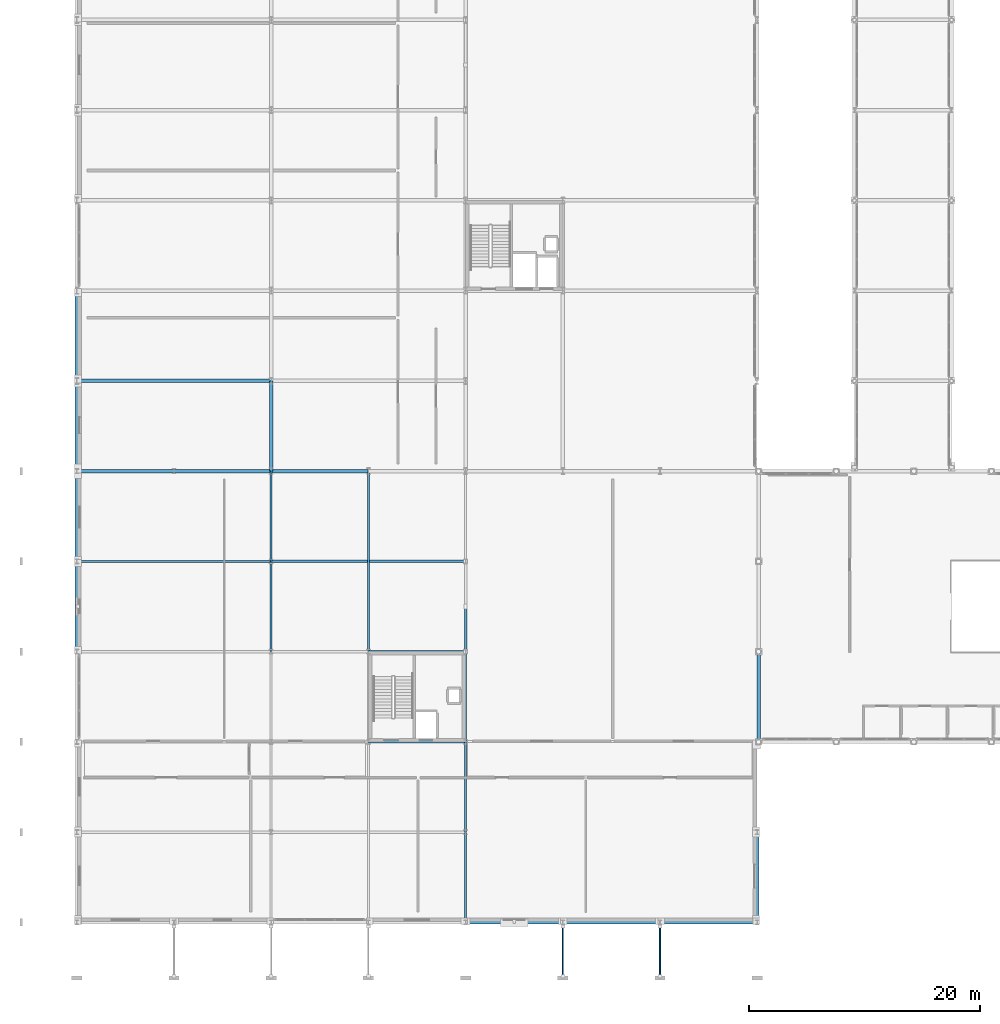
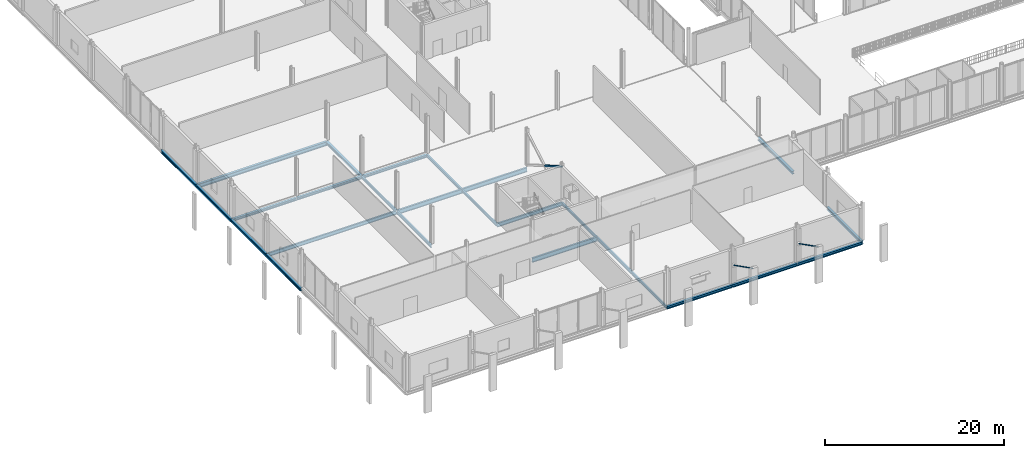
# One storey, part 29 of 105: 24 beams, 3 members.
"""IFC4 building model written with IfcOpenShell, lengths in metres."""

from ifc_helpers import new_model, si_unit, direction, frame, origin, origin_2d, place, context, subcontext, project, spatial, hollow_rectangle, hollow_circle, i_section, extrude, material, material_profile, profile_set, type_object, element, save


model = new_model("IFC4")

# Units and contexts
model_context = context("Model", 3, precision=1e-05, world=origin(), true_north=direction((0.0, 1.0)))
body_context = subcontext(model_context, "Body", "Model", "MODEL_VIEW")
ifc_project = project(units=[si_unit("LENGTHUNIT", "METRE"), si_unit("AREAUNIT", "SQUARE_METRE"), si_unit("VOLUMEUNIT", "CUBIC_METRE"), si_unit("PLANEANGLEUNIT", "RADIAN"), si_unit("MASSUNIT", "GRAM", prefix="KILO")], contexts=[model_context])

# Site, building, storey
site_placement = place(None, origin())
site = spatial("IfcSite", under=ifc_project, at=site_placement, CompositionType="ELEMENT")
building_placement = place(site_placement, origin())
building = spatial("IfcBuilding", under=site, at=building_placement, Name="Nabrawat Pavilion Hospital", CompositionType="ELEMENT")
storey_placement = place(building_placement, frame((0.0, 0.0, 5.10009765625)))
storey = spatial("IfcBuildingStorey", under=building, at=storey_placement, Name="L01", CompositionType="ELEMENT", Elevation=5.10009765625)

# Members
ifc_material = material(Name="Steel S355", Category="steel")
ifc_material_profile_1 = material_profile(ifc_material, hollow_circle(Radius=0.06982421875, WallThickness=0.008056640625, at=origin_2d()), Name="CHS 139.7x8")
ifc_profile_set_1 = profile_set([ifc_material_profile_1], Name="Steel S355")
member_type_1 = type_object("IfcMemberType", Name="Canopy Eave Tie Strut CHS 139.7x8", PredefinedType="STRUT", material=ifc_profile_set_1)
for number, where, z_axis, x_axis, name in (
    (1, (42.0, -0.320068359375, 2.5498046875), (0.0, -0.892334452398, 0.451374816603), (1.0, 0.0, 0.0), "South Arcade Canopy Diagonal Strut 04"),
    (2, (50.39990234375, -0.320068359375, 2.5498046875), (0.0, -0.892334452398, 0.451374816603), (1.0, 0.0, 0.0), "South Arcade Canopy Diagonal Strut 05"),
):
    element("IfcMember", number, at=place(storey_placement, frame(where, z_axis=z_axis, x_axis=x_axis)), inside=storey, type_object=member_type_1, Name=name, PredefinedType="STRUT", context=body_context, shape_type="SweptSolid", body=[
        extrude(hollow_circle(Radius=0.06982421875, WallThickness=0.008056640625, at=origin_2d()), origin(), (0.0, 0.0, 1.0), 4.852294921875),
    ])
ifc_material_profile_2 = material_profile(ifc_material, hollow_rectangle(XDim=0.199951171875, YDim=0.199951171875, WallThickness=0.012451171875, at=origin_2d()), Name="SHS 200x200x12.5")
ifc_profile_set_2 = profile_set([ifc_material_profile_2], Name="Steel S355")
member_type_2 = type_object("IfcMemberType", Name="Mid Seismic Chevron Brace SHS 200x200x12.5", PredefinedType="BRACE", material=ifc_profile_set_2)
member_placement = place(storey_placement, frame((33.60009765625, 23.39990234375, 4.5498046875), z_axis=(0.0, 0.866200492656, -0.49969661448), x_axis=(-1.0, 0.0, 0.0)))
element("IfcMember", 3, at=member_placement, inside=storey, type_object=member_type_2, Name="L01 Seismic Split X-Brace Upper Segment 008", PredefinedType="BRACE", context=body_context, shape_type="SweptSolid", body=[
    extrude(hollow_rectangle(XDim=0.199951171875, YDim=0.199951171875, WallThickness=0.012451171875, at=origin_2d()), origin(), (0.0, 0.0, 1.0), 4.362548828125),
])

# Beams
ifc_material_profile_3 = material_profile(ifc_material, i_section(OverallWidth=0.300048828125, OverallDepth=0.389892578125, WebThickness=0.010986328125, FlangeThickness=0.01904296875, FilletRadius=0.027099609375, at=origin_2d()), Name="HEA 400")
ifc_profile_set_3 = profile_set([ifc_material_profile_3], Name="Steel S355")
beam_type_1 = type_object("IfcBeamType", Name="Perimeter Moment Spandrel Beam HEA 400", PredefinedType="SPANDREL", material=ifc_profile_set_3)
for number, where, z_axis, x_axis, name in (
    (4, (33.6201171875, 0.0, -0.445068359375), (1.0, 0.0, 0.0), (0.0, 1.0, 0.0), "L01 Primary X Girder 453"),
    (5, (42.02001953125, 0.0, -0.445068359375), (1.0, 0.0, 0.0), (0.0, 1.0, 0.0), "L01 Primary X Girder 454"),
):
    element("IfcBeam", number, at=place(storey_placement, frame(where, z_axis=z_axis, x_axis=x_axis)), inside=storey, type_object=beam_type_1, Name=name, PredefinedType="SPANDREL", context=body_context, shape_type="SweptSolid", body=[
        extrude(i_section(OverallWidth=0.300048828125, OverallDepth=0.389892578125, WebThickness=0.010986328125, FlangeThickness=0.01904296875, FilletRadius=0.027099609375, at=origin_2d()), origin(), (0.0, 0.0, 1.0), 8.35986328125),
    ])
beam_1_placement = place(storey_placement, frame((50.419921875, 0.0, -0.445068359375), z_axis=(1.0, 0.0, 0.0), x_axis=(0.0, 1.0, 0.0)))
element("IfcBeam", 6, at=beam_1_placement, inside=storey, type_object=beam_type_1, Name="L01 Primary X Girder 455", PredefinedType="SPANDREL", context=body_context, shape_type="SweptSolid", body=[
    extrude(i_section(OverallWidth=0.300048828125, OverallDepth=0.389892578125, WebThickness=0.010986328125, FlangeThickness=0.01904296875, FilletRadius=0.027099609375, at=origin_2d()), origin(), (0.0, 0.0, 1.0), 8.360107421875),
])
for number, where, z_axis, x_axis, name in (
    (7, (0.0, 23.419921875, -0.445068359375), (0.0, 1.0, 0.0), (-1.0, 0.0, 0.0), "L01 Primary Y Beam 697"),
    (8, (0.0, 31.219970703125, -0.445068359375), (0.0, 1.0, 0.0), (-1.0, 0.0, 0.0), "L01 Primary Y Beam 698"),
    (9, (0.0, 39.02001953125, -0.465087890625), (0.0, 1.0, 0.0), (-1.0, 0.0, 0.0), "L01 Primary Y Beam 699"),
    (10, (0.0, 46.820068359375, -0.465087890625), (0.0, 1.0, 0.0), (-1.0, 0.0, 0.0), "L01 Primary Y Beam 700"),
    (11, (58.800048828125, 0.02001953125, -0.445068359375), (0.0, 1.0, 0.0), (-1.0, 0.0, 0.0), "L01 Primary Y Beam 747"),
):
    element("IfcBeam", number, at=place(storey_placement, frame(where, z_axis=z_axis, x_axis=x_axis)), inside=storey, type_object=beam_type_1, Name=name, PredefinedType="SPANDREL", context=body_context, shape_type="SweptSolid", body=[
        extrude(i_section(OverallWidth=0.300048828125, OverallDepth=0.389892578125, WebThickness=0.010986328125, FlangeThickness=0.01904296875, FilletRadius=0.027099609375, at=origin_2d()), origin(), (0.0, 0.0, 1.0), 7.760009765625),
    ])
beam_2_placement = place(storey_placement, frame((58.919921875, 15.6201171875, -0.445068359375), z_axis=(0.0, 1.0, 0.0), x_axis=(-1.0, 0.0, 0.0)))
element("IfcBeam", 12, at=beam_2_placement, inside=storey, type_object=beam_type_1, Name="L01 Primary Y Beam 757", PredefinedType="SPANDREL", context=body_context, shape_type="SweptSolid", body=[
    extrude(i_section(OverallWidth=0.300048828125, OverallDepth=0.389892578125, WebThickness=0.010986328125, FlangeThickness=0.01904296875, FilletRadius=0.027099609375, at=origin_2d()), origin(), (0.0, 0.0, 1.0), 7.759765625),
])
ifc_material_profile_4 = material_profile(ifc_material, i_section(OverallWidth=0.300048828125, OverallDepth=0.550048828125, WebThickness=0.014892578125, FlangeThickness=0.029052734375, FilletRadius=0.027099609375, at=origin_2d()), Name="HEB 550")
ifc_profile_set_4 = profile_set([ifc_material_profile_4], Name="Steel S355")
beam_type_2 = type_object("IfcBeamType", Name="Primary Floor Girder HEB 550", PredefinedType="USERDEFINED", material=ifc_profile_set_4)
beam_3_placement = place(storey_placement, frame((0.02001953125, 46.800048828125, -0.545166015625), z_axis=(1.0, 0.0, 0.0), x_axis=(0.0, 1.0, 0.0)))
element("IfcBeam", 13, at=beam_3_placement, inside=storey, type_object=beam_type_2, Name="L01 Primary X Girder 536", ObjectType="GIRDER", PredefinedType="USERDEFINED", context=body_context, shape_type="SweptSolid", body=[
    extrude(i_section(OverallWidth=0.300048828125, OverallDepth=0.550048828125, WebThickness=0.014892578125, FlangeThickness=0.029052734375, FilletRadius=0.027099609375, at=origin_2d()), origin(), (0.0, 0.0, 1.0), 16.760009765625),
])
ifc_material_profile_5 = material_profile(ifc_material, i_section(OverallWidth=0.199951171875, OverallDepth=0.5, WebThickness=0.01025390625, FlangeThickness=0.01611328125, FilletRadius=0.02099609375, at=origin_2d()), Name="IPE 500")
ifc_profile_set_5 = profile_set([ifc_material_profile_5], Name="Steel S355")
beam_type_3 = type_object("IfcBeamType", Name="Standard X Floor Girder IPE 500", PredefinedType="USERDEFINED", material=ifc_profile_set_5)
beam_4_placement = place(storey_placement, frame((25.219970703125, 23.39990234375, -0.5), z_axis=(1.0, 0.0, 0.0), x_axis=(0.0, 1.0, 0.0)))
element("IfcBeam", 14, at=beam_4_placement, inside=storey, type_object=beam_type_3, Name="L01 Primary X Girder 495", ObjectType="GIRDER", PredefinedType="USERDEFINED", context=body_context, shape_type="SweptSolid", body=[
    extrude(i_section(OverallWidth=0.199951171875, OverallDepth=0.5, WebThickness=0.01025390625, FlangeThickness=0.01611328125, FilletRadius=0.02099609375, at=origin_2d()), origin(), (0.0, 0.0, 1.0), 8.360107421875),
])
beam_5_placement = place(storey_placement, frame((0.02001953125, 31.199951171875, -0.5), z_axis=(1.0, 0.0, 0.0), x_axis=(0.0, 1.0, 0.0)))
element("IfcBeam", 15, at=beam_5_placement, inside=storey, type_object=beam_type_3, Name="L01 Primary X Girder 503", ObjectType="GIRDER", PredefinedType="USERDEFINED", context=body_context, shape_type="SweptSolid", body=[
    extrude(i_section(OverallWidth=0.199951171875, OverallDepth=0.5, WebThickness=0.01025390625, FlangeThickness=0.01611328125, FilletRadius=0.02099609375, at=origin_2d()), origin(), (0.0, 0.0, 1.0), 16.760009765625),
])
ifc_material_profile_6 = material_profile(ifc_material, i_section(OverallWidth=0.179931640625, OverallDepth=0.39990234375, WebThickness=0.008544921875, FlangeThickness=0.013427734375, FilletRadius=0.02099609375, at=origin_2d()), Name="IPE 400")
ifc_profile_set_6 = profile_set([ifc_material_profile_6], Name="Steel S355")
beam_type_4 = type_object("IfcBeamType", Name="Standard Y Floor Beam IPE 400", PredefinedType="BEAM", material=ifc_profile_set_6)
for number, where, z_axis, x_axis, name in (
    (16, (16.800048828125, 23.419921875, -0.4501953125), (0.0, 1.0, 0.0), (-1.0, 0.0, 0.0), "L01 Primary Y Beam 712"),
    (17, (16.800048828125, 31.219970703125, -0.4501953125), (0.0, 1.0, 0.0), (-1.0, 0.0, 0.0), "L01 Primary Y Beam 713"),
):
    element("IfcBeam", number, at=place(storey_placement, frame(where, z_axis=z_axis, x_axis=x_axis)), inside=storey, type_object=beam_type_4, Name=name, PredefinedType="BEAM", context=body_context, shape_type="SweptSolid", body=[
        extrude(i_section(OverallWidth=0.179931640625, OverallDepth=0.39990234375, WebThickness=0.008544921875, FlangeThickness=0.013427734375, FilletRadius=0.02099609375, at=origin_2d()), origin(), (0.0, 0.0, 1.0), 7.760009765625),
    ])
beam_6_placement = place(storey_placement, frame((25.199951171875, 23.419921875, -0.4501953125), z_axis=(0.0, 1.0, 0.0), x_axis=(-1.0, 0.0, 0.0)))
element("IfcBeam", 18, at=beam_6_placement, inside=storey, type_object=beam_type_4, Name="L01 Primary Y Beam 726", PredefinedType="BEAM", context=body_context, shape_type="SweptSolid", body=[
    extrude(i_section(OverallWidth=0.179931640625, OverallDepth=0.39990234375, WebThickness=0.008544921875, FlangeThickness=0.013427734375, FilletRadius=0.02099609375, at=origin_2d()), origin(), (0.0, 0.0, 1.0), 15.56005859375),
])
for number, where, z_axis, x_axis, name in (
    (19, (33.60009765625, 0.02001953125, -0.4501953125), (0.0, 1.0, 0.0), (-1.0, 0.0, 0.0), "L01 Primary Y Beam 730"),
    (20, (33.60009765625, 7.820068359375, -0.4501953125), (0.0, 1.0, 0.0), (-1.0, 0.0, 0.0), "L01 Primary Y Beam 731"),
):
    element("IfcBeam", number, at=place(storey_placement, frame(where, z_axis=z_axis, x_axis=x_axis)), inside=storey, type_object=beam_type_4, Name=name, PredefinedType="BEAM", context=body_context, shape_type="SweptSolid", body=[
        extrude(i_section(OverallWidth=0.179931640625, OverallDepth=0.39990234375, WebThickness=0.008544921875, FlangeThickness=0.013427734375, FilletRadius=0.02099609375, at=origin_2d()), origin(), (0.0, 0.0, 1.0), 7.760009765625),
    ])
beam_7_placement = place(storey_placement, frame((33.60009765625, 15.6201171875, -0.4501953125), z_axis=(0.0, 1.0, 0.0), x_axis=(-1.0, 0.0, 0.0)))
element("IfcBeam", 21, at=beam_7_placement, inside=storey, type_object=beam_type_4, Name="L01 Primary Y Beam 732", PredefinedType="BEAM", context=body_context, shape_type="SweptSolid", body=[
    extrude(i_section(OverallWidth=0.179931640625, OverallDepth=0.39990234375, WebThickness=0.008544921875, FlangeThickness=0.013427734375, FilletRadius=0.02099609375, at=origin_2d()), origin(), (0.0, 0.0, 1.0), 7.759765625),
])
ifc_material_profile_7 = material_profile(ifc_material, i_section(OverallWidth=0.300048828125, OverallDepth=0.360107421875, WebThickness=0.012451171875, FlangeThickness=0.0224609375, FilletRadius=0.027099609375, at=origin_2d()), Name="HEB 360")
ifc_profile_set_7 = profile_set([ifc_material_profile_7], Name="Steel S355")
beam_type_5 = type_object("IfcBeamType", Name="Surgical Perimeter Spandrel HEB 360", PredefinedType="SPANDREL", material=ifc_profile_set_7)
beam_8_placement = place(storey_placement, frame((0.02001953125, 39.0, -0.4501953125), z_axis=(1.0, 0.0, 0.0), x_axis=(0.0, 1.0, 0.0)))
element("IfcBeam", 22, at=beam_8_placement, inside=storey, type_object=beam_type_5, Name="L01 Primary X Girder 511", PredefinedType="SPANDREL", context=body_context, shape_type="SweptSolid", body=[
    extrude(i_section(OverallWidth=0.300048828125, OverallDepth=0.360107421875, WebThickness=0.012451171875, FlangeThickness=0.0224609375, FilletRadius=0.027099609375, at=origin_2d()), origin(), (0.0, 0.0, 1.0), 8.35986328125),
])
beam_9_placement = place(storey_placement, frame((8.419921875, 39.0, -0.4501953125), z_axis=(1.0, 0.0, 0.0), x_axis=(0.0, 1.0, 0.0)))
element("IfcBeam", 23, at=beam_9_placement, inside=storey, type_object=beam_type_5, Name="L01 Primary X Girder 512", PredefinedType="SPANDREL", context=body_context, shape_type="SweptSolid", body=[
    extrude(i_section(OverallWidth=0.300048828125, OverallDepth=0.360107421875, WebThickness=0.012451171875, FlangeThickness=0.0224609375, FilletRadius=0.027099609375, at=origin_2d()), origin(), (0.0, 0.0, 1.0), 8.360107421875),
])
beam_10_placement = place(storey_placement, frame((16.820068359375, 39.0, -0.4501953125), z_axis=(1.0, 0.0, 0.0), x_axis=(0.0, 1.0, 0.0)))
element("IfcBeam", 24, at=beam_10_placement, inside=storey, type_object=beam_type_5, Name="L01 Primary X Girder 513", PredefinedType="SPANDREL", context=body_context, shape_type="SweptSolid", body=[
    extrude(i_section(OverallWidth=0.300048828125, OverallDepth=0.360107421875, WebThickness=0.012451171875, FlangeThickness=0.0224609375, FilletRadius=0.027099609375, at=origin_2d()), origin(), (0.0, 0.0, 1.0), 8.35986328125),
])
ifc_material_profile_8 = material_profile(ifc_material, i_section(OverallWidth=0.300048828125, OverallDepth=0.35009765625, WebThickness=0.009521484375, FlangeThickness=0.017578125, FilletRadius=0.027099609375, at=origin_2d()), Name="HEA 360")
ifc_profile_set_8 = profile_set([ifc_material_profile_8], Name="Steel S355")
beam_type_6 = type_object("IfcBeamType", Name="Surgical Stiffened Beam HEA 360", PredefinedType="BEAM", material=ifc_profile_set_8)
beam_11_placement = place(storey_placement, frame((16.800048828125, 39.02001953125, -0.445068359375), z_axis=(0.0, 1.0, 0.0), x_axis=(-1.0, 0.0, 0.0)))
element("IfcBeam", 25, at=beam_11_placement, inside=storey, type_object=beam_type_6, Name="L01 Primary Y Beam 714", PredefinedType="BEAM", context=body_context, shape_type="SweptSolid", body=[
    extrude(i_section(OverallWidth=0.300048828125, OverallDepth=0.35009765625, WebThickness=0.009521484375, FlangeThickness=0.017578125, FilletRadius=0.027099609375, at=origin_2d()), origin(), (0.0, 0.0, 1.0), 7.760009765625),
])
ifc_material_profile_9 = material_profile(ifc_material, i_section(OverallWidth=0.219970703125, OverallDepth=0.60009765625, WebThickness=0.011962890625, FlangeThickness=0.01904296875, FilletRadius=0.02392578125, at=origin_2d()), Name="IPE 600")
ifc_profile_set_9 = profile_set([ifc_material_profile_9], Name="Steel S355")
beam_type_7 = type_object("IfcBeamType", Name="Wide-Bay Floor Girder IPE 600", PredefinedType="USERDEFINED", material=ifc_profile_set_9)
beam_12_placement = place(storey_placement, frame((25.219970703125, 15.60009765625, -0.550048828125), z_axis=(1.0, 0.0, 0.0), x_axis=(0.0, 1.0, 0.0)))
element("IfcBeam", 26, at=beam_12_placement, inside=storey, type_object=beam_type_7, Name="L01 Primary X Girder 474", ObjectType="GIRDER", PredefinedType="USERDEFINED", context=body_context, shape_type="SweptSolid", body=[
    extrude(i_section(OverallWidth=0.219970703125, OverallDepth=0.60009765625, WebThickness=0.011962890625, FlangeThickness=0.01904296875, FilletRadius=0.02392578125, at=origin_2d()), origin(), (0.0, 0.0, 1.0), 8.360107421875),
])
beam_13_placement = place(storey_placement, frame((16.820068359375, 31.199951171875, -0.550048828125), z_axis=(1.0, 0.0, 0.0), x_axis=(0.0, 1.0, 0.0)))
element("IfcBeam", 27, at=beam_13_placement, inside=storey, type_object=beam_type_7, Name="L01 Primary X Girder 504", ObjectType="GIRDER", PredefinedType="USERDEFINED", context=body_context, shape_type="SweptSolid", body=[
    extrude(i_section(OverallWidth=0.219970703125, OverallDepth=0.60009765625, WebThickness=0.011962890625, FlangeThickness=0.01904296875, FilletRadius=0.02392578125, at=origin_2d()), origin(), (0.0, 0.0, 1.0), 16.760009765625),
])

save(model, "model.ifc")
